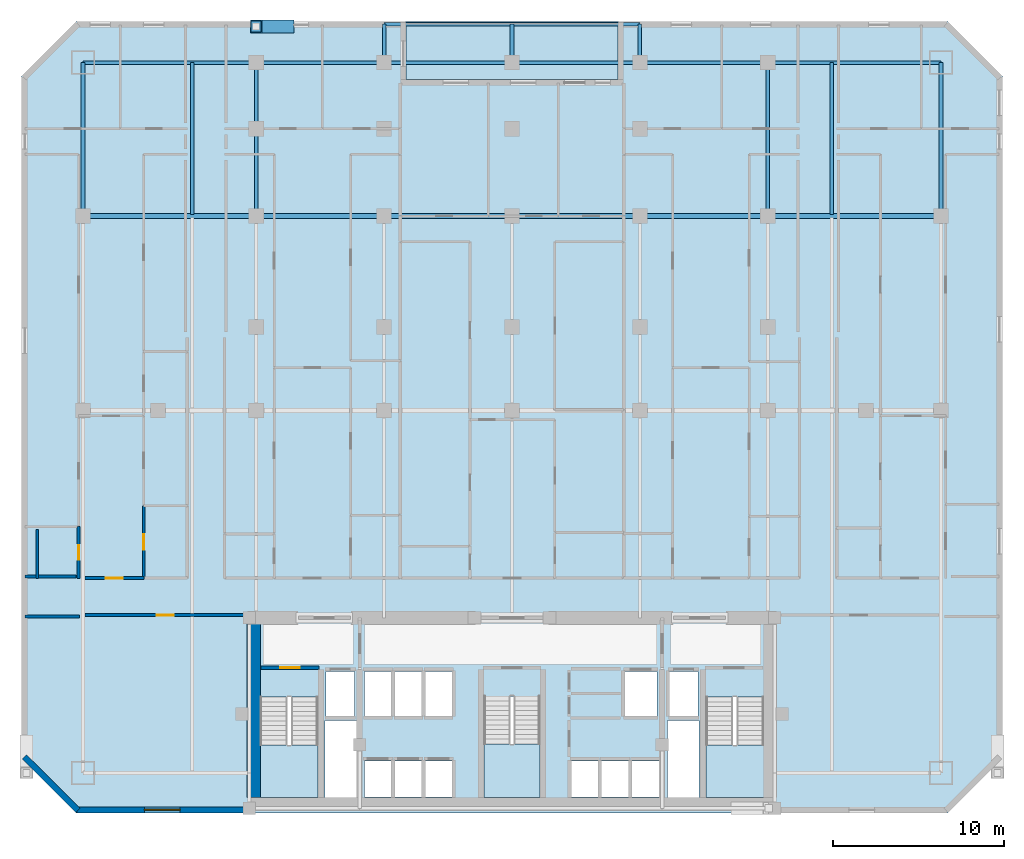
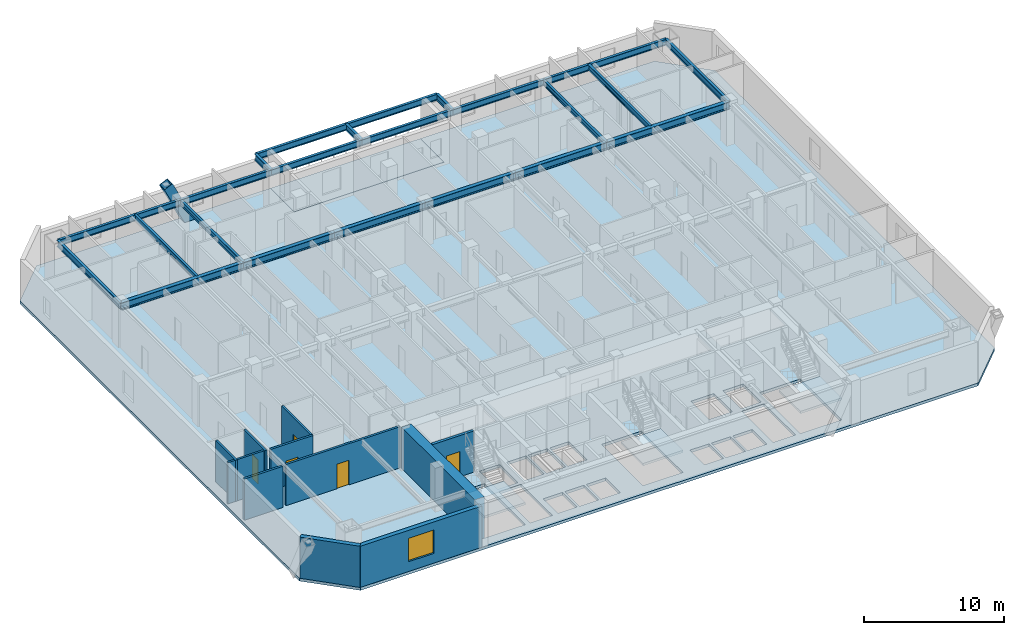
# One storey, part 2 of 10: 23 beams, 11 walls, 5 doors, 5 slabs, 1 member, 1 window, 6 openings, 3 elements without a shape of their own.
"""IFC4 building model written with IfcOpenShell, lengths in metres."""

from ifc_helpers import new_model, si_unit, direction, frame, frame_2d, origin, origin_2d, place, context, subcontext, project, spatial, polyline, rectangle, hollow_rectangle, i_section, outline, extrude, material, layer, layer_set, material_profile, profile_set, type_object, element, fill, aggregate, save


model = new_model("IFC4")

# Units and contexts
model_context = context("Model", 3, precision=1e-05, world=origin(), true_north=direction((0.0, 1.0)))
body_context = subcontext(model_context, "Body", "Model", "MODEL_VIEW")
ifc_project = project(units=[si_unit("LENGTHUNIT", "METRE"), si_unit("AREAUNIT", "SQUARE_METRE"), si_unit("VOLUMEUNIT", "CUBIC_METRE"), si_unit("PLANEANGLEUNIT", "RADIAN"), si_unit("MASSUNIT", "GRAM", prefix="KILO")], contexts=[model_context])

# Site, building, storey
site_placement = place(None, origin())
site = spatial("IfcSite", under=ifc_project, at=site_placement, CompositionType="ELEMENT")
building_placement = place(site_placement, origin())
building = spatial("IfcBuilding", under=site, at=building_placement, Name="Ventersveld Concourse Tower", CompositionType="ELEMENT")
storey_placement = place(building_placement, frame((0.0, 0.0, 56.75)))
storey = spatial("IfcBuildingStorey", under=building, at=storey_placement, Name="L13", CompositionType="ELEMENT", Elevation=56.75)

# Beams
ifc_material_1 = material(Name="Structural steel S355J2", Category="steel")
ifc_material_profile_1 = material_profile(ifc_material_1, i_section(OverallWidth=0.19140625, OverallDepth=0.4599609375, WebThickness=0.010009765625, FlangeThickness=0.01611328125, FilletRadius=0.01025390625, at=origin_2d()), Name="UB 457x191x82")
ifc_profile_set_1 = profile_set([ifc_material_profile_1], Name="Structural steel S355J2")
beam_type_1 = type_object("IfcBeamType", Name="BM-UB457H", PredefinedType="BEAM", material=ifc_profile_set_1)
beam_1_placement = place(storey_placement, frame((10.0, 35.094970703125, 3.3701171875), z_axis=(0.0, 1.0, 0.0), x_axis=(-1.0, 0.0, 0.0)))
element("IfcBeam", 1, at=beam_1_placement, inside=storey, type_object=beam_type_1, Name="L13 N-S Composite Floor Beam North X=10.00", PredefinedType="BEAM", context=body_context, shape_type="SweptSolid", body=[
    extrude(i_section(OverallWidth=0.19140625, OverallDepth=0.4599609375, WebThickness=0.010009765625, FlangeThickness=0.01611328125, FilletRadius=0.01025390625, at=origin_2d()), origin(), (0.0, 0.0, 1.0), 8.905029296875),
])
for number, where, z_axis, x_axis, name in (
    (2, (13.75, 35.0, 3.3701171875), (0.0, 1.0, 0.0), (-1.0, 0.0, 0.0), "L13 N-S Composite Floor Beam North X=13.75"),
    (3, (43.75, 35.0, 3.3701171875), (0.0, 1.0, 0.0), (-1.0, 0.0, 0.0), "L13 N-S Composite Floor Beam North X=43.75"),
):
    element("IfcBeam", number, at=place(storey_placement, frame(where, z_axis=z_axis, x_axis=x_axis)), inside=storey, type_object=beam_type_1, Name=name, PredefinedType="BEAM", context=body_context, shape_type="SweptSolid", body=[
        extrude(i_section(OverallWidth=0.19140625, OverallDepth=0.4599609375, WebThickness=0.010009765625, FlangeThickness=0.01611328125, FilletRadius=0.01025390625, at=origin_2d()), origin(), (0.0, 0.0, 1.0), 9.0),
    ])
beam_2_placement = place(storey_placement, frame((47.5, 35.094970703125, 3.3701171875), z_axis=(0.0, 1.0, 0.0), x_axis=(-1.0, 0.0, 0.0)))
element("IfcBeam", 4, at=beam_2_placement, inside=storey, type_object=beam_type_1, Name="L13 N-S Composite Floor Beam North X=47.50", PredefinedType="BEAM", context=body_context, shape_type="SweptSolid", body=[
    extrude(i_section(OverallWidth=0.19140625, OverallDepth=0.4599609375, WebThickness=0.010009765625, FlangeThickness=0.01611328125, FilletRadius=0.01025390625, at=origin_2d()), origin(), (0.0, 0.0, 1.0), 8.905029296875),
])
ifc_material_profile_2 = material_profile(ifc_material_1, i_section(OverallWidth=0.311279296875, OverallDepth=0.6357421875, WebThickness=0.018310546875, FlangeThickness=0.031494140625, FilletRadius=0.0166015625, at=origin_2d()), Name="UB 610x305x238")
ifc_profile_set_2 = profile_set([ifc_material_profile_2], Name="Structural steel S355J2")
beam_type_2 = type_object("IfcBeamType", Name="GRD-UB610H", PredefinedType="USERDEFINED", material=ifc_profile_set_2)
beam_3_placement = place(storey_placement, frame((3.60009765625, 35.0, 3.281982421875), z_axis=(1.0, 0.0, 0.0), x_axis=(0.0, 1.0, 0.0)))
element("IfcBeam", 5, at=beam_3_placement, inside=storey, type_object=beam_type_2, Name="L13 E-W Grid Girder Y=35.00 #1", ObjectType="GIRDER", PredefinedType="USERDEFINED", context=body_context, shape_type="SweptSolid", body=[
    extrude(i_section(OverallWidth=0.311279296875, OverallDepth=0.6357421875, WebThickness=0.018310546875, FlangeThickness=0.031494140625, FilletRadius=0.0166015625, at=origin_2d()), origin(), (0.0, 0.0, 1.0), 10.14990234375),
])
for number, where, z_axis, x_axis, name in (
    (6, (13.75, 35.0, 3.281982421875), (1.0, 0.0, 0.0), (0.0, 1.0, 0.0), "L13 E-W Grid Girder Y=35.00 #2"),
    (7, (21.25, 35.0, 3.281982421875), (1.0, 0.0, 0.0), (0.0, 1.0, 0.0), "L13 E-W Grid Girder Y=35.00 #3"),
    (8, (28.75, 35.0, 3.281982421875), (1.0, 0.0, 0.0), (0.0, 1.0, 0.0), "L13 E-W Grid Girder Y=35.00 #4"),
    (9, (36.25, 35.0, 3.281982421875), (1.0, 0.0, 0.0), (0.0, 1.0, 0.0), "L13 E-W Grid Girder Y=35.00 #5"),
):
    element("IfcBeam", number, at=place(storey_placement, frame(where, z_axis=z_axis, x_axis=x_axis)), inside=storey, type_object=beam_type_2, Name=name, ObjectType="GIRDER", PredefinedType="USERDEFINED", context=body_context, shape_type="SweptSolid", body=[
        extrude(i_section(OverallWidth=0.311279296875, OverallDepth=0.6357421875, WebThickness=0.018310546875, FlangeThickness=0.031494140625, FilletRadius=0.0166015625, at=origin_2d()), origin(), (0.0, 0.0, 1.0), 7.5),
    ])
beam_4_placement = place(storey_placement, frame((43.75, 35.0, 3.281982421875), z_axis=(1.0, 0.0, 0.0), x_axis=(0.0, 1.0, 0.0)))
element("IfcBeam", 10, at=beam_4_placement, inside=storey, type_object=beam_type_2, Name="L13 E-W Grid Girder Y=35.00 #6", ObjectType="GIRDER", PredefinedType="USERDEFINED", context=body_context, shape_type="SweptSolid", body=[
    extrude(i_section(OverallWidth=0.311279296875, OverallDepth=0.6357421875, WebThickness=0.018310546875, FlangeThickness=0.031494140625, FilletRadius=0.0166015625, at=origin_2d()), origin(), (0.0, 0.0, 1.0), 10.14990234375),
])

# Member
ifc_material_2 = material(Name="Structural steel S355ML", Category="steel")
ifc_material_profile_3 = material_profile(ifc_material_2, hollow_rectangle(XDim=0.75, YDim=0.75, WallThickness=0.044921875, at=origin_2d()), Name="BOX 750x750x45")
ifc_profile_set_3 = profile_set([ifc_material_profile_3], Name="Structural steel S355ML")
member_type = type_object("IfcMemberType", Name="MB-750x750", PredefinedType="BRACE", material=ifc_profile_set_3)
member_placement = place(storey_placement, frame((15.625, 46.1201171875, -0.25), z_axis=(-0.437839464193, 0.0, 0.899053170616), x_axis=(0.0, -1.0, 0.0)))
element("IfcMember", 11, at=member_placement, inside=storey, type_object=member_type, Name="L13 Exterior Mega-Brace N (Module M02)", PredefinedType="BRACE", context=body_context, shape_type="SweptSolid", body=[
    extrude(hollow_rectangle(XDim=0.75, YDim=0.75, WallThickness=0.044921875, at=origin_2d()), origin(), (0.0, 0.0, 1.0), 4.282470703125),
])

# Beams
ifc_material_profile_4 = material_profile(ifc_material_1, i_section(OverallWidth=0.2119140625, OverallDepth=0.54443359375, WebThickness=0.0126953125, FlangeThickness=0.021240234375, FilletRadius=0.0126953125, at=origin_2d()), Name="UB 533x210x122")
ifc_profile_set_4 = profile_set([ifc_material_profile_4], Name="Structural steel S355J2")
beam_type_3 = type_object("IfcBeamType", Name="SPD-UB533", PredefinedType="SPANDREL", material=ifc_profile_set_4)
for number, where, z_axis, x_axis, name in (
    (12, (3.60009765625, 35.0, 3.327880859375), (0.0, 1.0, 0.0), (-1.0, 0.0, 0.0), "L13 West Spandrel Beam N"),
    (13, (53.89990234375, 35.0, 3.327880859375), (0.0, 1.0, 0.0), (-1.0, 0.0, 0.0), "L13 East Spandrel Beam N"),
):
    element("IfcBeam", number, at=place(storey_placement, frame(where, z_axis=z_axis, x_axis=x_axis)), inside=storey, type_object=beam_type_3, Name=name, PredefinedType="SPANDREL", context=body_context, shape_type="SweptSolid", body=[
        extrude(i_section(OverallWidth=0.2119140625, OverallDepth=0.54443359375, WebThickness=0.0126953125, FlangeThickness=0.021240234375, FilletRadius=0.0126953125, at=origin_2d()), origin(), (0.0, 0.0, 1.0), 9.0),
    ])
for number, where, z_axis, x_axis, name in (
    (14, (21.25, 44.0, 3.327880859375), (0.0, 1.0, 0.0), (-1.0, 0.0, 0.0), "L13 Terrace Bracket W"),
    (15, (28.75, 44.0, 3.327880859375), (0.0, 1.0, 0.0), (-1.0, 0.0, 0.0), "L13 Terrace Bracket C"),
    (16, (36.25, 44.0, 3.327880859375), (0.0, 1.0, 0.0), (-1.0, 0.0, 0.0), "L13 Terrace Bracket E"),
):
    element("IfcBeam", number, at=place(storey_placement, frame(where, z_axis=z_axis, x_axis=x_axis)), inside=storey, type_object=beam_type_3, Name=name, PredefinedType="SPANDREL", context=body_context, shape_type="SweptSolid", body=[
        extrude(i_section(OverallWidth=0.2119140625, OverallDepth=0.54443359375, WebThickness=0.0126953125, FlangeThickness=0.021240234375, FilletRadius=0.0126953125, at=origin_2d()), origin(), (0.0, 0.0, 1.0), 2.25),
    ])
for number, where, z_axis, x_axis, name in (
    (17, (21.25, 46.25, 3.327880859375), (1.0, 0.0, 0.0), (0.0, 1.0, 0.0), "L13 Terrace Edge Spandrel W"),
    (18, (28.75, 46.25, 3.327880859375), (1.0, 0.0, 0.0), (0.0, 1.0, 0.0), "L13 Terrace Edge Spandrel E"),
):
    element("IfcBeam", number, at=place(storey_placement, frame(where, z_axis=z_axis, x_axis=x_axis)), inside=storey, type_object=beam_type_3, Name=name, PredefinedType="SPANDREL", context=body_context, shape_type="SweptSolid", body=[
        extrude(i_section(OverallWidth=0.2119140625, OverallDepth=0.54443359375, WebThickness=0.0126953125, FlangeThickness=0.021240234375, FilletRadius=0.0126953125, at=origin_2d()), origin(), (0.0, 0.0, 1.0), 7.5),
    ])
beam_5_placement = place(storey_placement, frame((3.60009765625, 44.0, 3.327880859375), z_axis=(1.0, 0.0, 0.0), x_axis=(0.0, 1.0, 0.0)))
element("IfcBeam", 19, at=beam_5_placement, inside=storey, type_object=beam_type_3, Name="L13 North Spandrel Girder Y=44.00 #1", PredefinedType="SPANDREL", context=body_context, shape_type="SweptSolid", body=[
    extrude(i_section(OverallWidth=0.2119140625, OverallDepth=0.54443359375, WebThickness=0.0126953125, FlangeThickness=0.021240234375, FilletRadius=0.0126953125, at=origin_2d()), origin(), (0.0, 0.0, 1.0), 10.14990234375),
])
for number, where, z_axis, x_axis, name in (
    (20, (13.75, 44.0, 3.327880859375), (1.0, 0.0, 0.0), (0.0, 1.0, 0.0), "L13 North Spandrel Girder Y=44.00 #2"),
    (21, (21.25, 44.0, 3.327880859375), (1.0, 0.0, 0.0), (0.0, 1.0, 0.0), "L13 North Spandrel Girder Y=44.00 #3"),
    (22, (28.75, 44.0, 3.327880859375), (1.0, 0.0, 0.0), (0.0, 1.0, 0.0), "L13 North Spandrel Girder Y=44.00 #4"),
    (23, (36.25, 44.0, 3.327880859375), (1.0, 0.0, 0.0), (0.0, 1.0, 0.0), "L13 North Spandrel Girder Y=44.00 #5"),
):
    element("IfcBeam", number, at=place(storey_placement, frame(where, z_axis=z_axis, x_axis=x_axis)), inside=storey, type_object=beam_type_3, Name=name, PredefinedType="SPANDREL", context=body_context, shape_type="SweptSolid", body=[
        extrude(i_section(OverallWidth=0.2119140625, OverallDepth=0.54443359375, WebThickness=0.0126953125, FlangeThickness=0.021240234375, FilletRadius=0.0126953125, at=origin_2d()), origin(), (0.0, 0.0, 1.0), 7.5),
    ])
beam_6_placement = place(storey_placement, frame((43.75, 44.0, 3.327880859375), z_axis=(1.0, 0.0, 0.0), x_axis=(0.0, 1.0, 0.0)))
element("IfcBeam", 24, at=beam_6_placement, inside=storey, type_object=beam_type_3, Name="L13 North Spandrel Girder Y=44.00 #6", PredefinedType="SPANDREL", context=body_context, shape_type="SweptSolid", body=[
    extrude(i_section(OverallWidth=0.2119140625, OverallDepth=0.54443359375, WebThickness=0.0126953125, FlangeThickness=0.021240234375, FilletRadius=0.0126953125, at=origin_2d()), origin(), (0.0, 0.0, 1.0), 10.14990234375),
])

# Slabs
ifc_material_3 = material(Name="Concrete C50/60", Category="concrete")
ifc_layer_1 = layer(ifc_material_3, 0.25)
ifc_layer_set_1 = layer_set([ifc_layer_1], Name="Concrete C50/60")
slab_type_1 = type_object("IfcSlabType", Name="SL-FLR-250", PredefinedType="FLOOR", material=ifc_layer_set_1)
slab_1_placement = place(storey_placement, frame((0.0, 0.0, -0.25)))
element("IfcSlab", 25, at=slab_1_placement, inside=storey, type_object=slab_type_1, Name="L13 Composite Floor Slab", PredefinedType="FLOOR", context=body_context, shape_type="SweptSolid", body=[
    extrude(outline(polyline([(3.199951171875, 0.0), (54.300048828125, 0.0), (57.5, 3.199951171875), (57.5, 43.199951171875), (54.300048828125, 46.39990234375), (34.949951171875, 46.39990234375), (34.949951171875, 43.0), (22.550048828125, 43.0), (22.550048828125, 46.39990234375), (3.199951171875, 46.39990234375), (0.0, 43.199951171875), (0.0, 3.199951171875), (3.199951171875, 0.0)]), holes=[polyline([(13.97998046875, 6.794921875), (13.97998046875, 0.89990234375), (17.3798828125, 0.89990234375), (17.3798828125, 6.794921875), (13.97998046875, 6.794921875)]), polyline([(40.1201171875, 6.794921875), (40.1201171875, 0.89990234375), (43.52001953125, 0.89990234375), (43.52001953125, 6.794921875), (40.1201171875, 6.794921875)]), polyline([(27.10009765625, 6.844970703125), (27.10009765625, 0.89990234375), (30.39990234375, 0.89990234375), (30.39990234375, 6.844970703125), (27.10009765625, 6.844970703125)]), polyline([(17.85009765625, 5.699951171875), (19.530029296875, 5.699951171875), (19.530029296875, 8.300048828125), (17.85009765625, 8.300048828125), (17.85009765625, 5.699951171875)]), polyline([(37.969970703125, 5.699951171875), (39.64990234375, 5.699951171875), (39.64990234375, 8.300048828125), (37.969970703125, 8.300048828125), (37.969970703125, 5.699951171875)]), polyline([(35.35009765625, 5.699951171875), (37.25, 5.699951171875), (37.25, 8.300048828125), (35.35009765625, 8.300048828125), (35.35009765625, 5.699951171875)]), polyline([(20.090087890625, 0.949951171875), (21.68994140625, 0.949951171875), (21.68994140625, 3.050048828125), (20.090087890625, 3.050048828125), (20.090087890625, 0.949951171875)]), polyline([(21.8701171875, 0.949951171875), (23.469970703125, 0.949951171875), (23.469970703125, 3.050048828125), (21.8701171875, 3.050048828125), (21.8701171875, 0.949951171875)]), polyline([(23.64990234375, 0.949951171875), (25.25, 0.949951171875), (25.25, 3.050048828125), (23.64990234375, 3.050048828125), (23.64990234375, 0.949951171875)]), polyline([(32.2099609375, 0.949951171875), (33.81005859375, 0.949951171875), (33.81005859375, 3.050048828125), (32.2099609375, 3.050048828125), (32.2099609375, 0.949951171875)]), polyline([(33.989990234375, 0.949951171875), (35.590087890625, 0.949951171875), (35.590087890625, 3.050048828125), (33.989990234375, 3.050048828125), (33.989990234375, 0.949951171875)]), polyline([(35.77001953125, 0.949951171875), (37.3701171875, 0.949951171875), (37.3701171875, 3.050048828125), (35.77001953125, 3.050048828125), (35.77001953125, 0.949951171875)]), polyline([(20.090087890625, 5.699951171875), (21.68994140625, 5.699951171875), (21.68994140625, 8.300048828125), (20.090087890625, 8.300048828125), (20.090087890625, 5.699951171875)]), polyline([(21.8701171875, 5.699951171875), (23.469970703125, 5.699951171875), (23.469970703125, 8.300048828125), (21.8701171875, 8.300048828125), (21.8701171875, 5.699951171875)]), polyline([(23.64990234375, 5.699951171875), (25.25, 5.699951171875), (25.25, 8.300048828125), (23.64990234375, 8.300048828125), (23.64990234375, 5.699951171875)]), polyline([(17.780029296875, 0.919921875), (19.6201171875, 0.919921875), (19.6201171875, 5.419921875), (17.780029296875, 5.419921875), (17.780029296875, 0.919921875)]), polyline([(37.8798828125, 0.919921875), (39.719970703125, 0.919921875), (39.719970703125, 5.419921875), (37.8798828125, 5.419921875), (37.8798828125, 0.919921875)])]), origin(), (0.0, 0.0, 1.0), 0.25),
])
slab_2_placement = place(storey_placement, frame((0.0, 0.0, -0.25)))
element("IfcSlab", 26, at=slab_2_placement, inside=storey, type_object=slab_type_1, Name="L13 Outdoor Terrace Slab NOTCH-N", PredefinedType="FLOOR", context=body_context, shape_type="SweptSolid", body=[
    extrude(outline(polyline([(22.550048828125, 43.0), (34.949951171875, 43.0), (34.949951171875, 46.39990234375), (22.550048828125, 46.39990234375), (22.550048828125, 43.0)])), origin(), (0.0, 0.0, 1.0), 0.25),
])

# Stair, slab
stair_type_1 = type_object("IfcStairType", Name="ST-DOG-160", PredefinedType="HALF_TURN_STAIR", material=ifc_material_3)
stair_1_placement = place(storey_placement, origin())
stair_1 = element("IfcStair", 27, at=stair_1_placement, inside=storey, type_object=stair_type_1, Name="L13 Protected Tower Escape Stair ST-01", PredefinedType="HALF_TURN_STAIR")
ifc_layer_2 = layer(ifc_material_3, 0.199951171875)
ifc_layer_set_2 = layer_set([ifc_layer_2], Name="Concrete C50/60")
slab_type_2 = type_object("IfcSlabType", Name="SL-LND-200", PredefinedType="LANDING", material=ifc_layer_set_2)
slab_3_placement = place(storey_placement, frame((0.0, 0.0, 1.72509765625)))
slab_3 = element("IfcSlab", 28, at=slab_3_placement, type_object=slab_type_2, Name="ST-01 landing 1", PredefinedType="LANDING", context=body_context, shape_type="SweptSolid", body=[
    extrude(outline(polyline([(13.97998046875, 4.0), (13.97998046875, 0.89990234375), (17.3798828125, 0.89990234375), (17.3798828125, 4.0), (13.97998046875, 4.0)])), origin(), (0.0, 0.0, 1.0), 0.199951171875),
])
aggregate(stair_1, [slab_3])

stair_2_placement = place(storey_placement, origin())
stair_2 = element("IfcStair", 29, at=stair_2_placement, inside=storey, type_object=stair_type_1, Name="L13 Protected Tower Escape Stair ST-02", PredefinedType="HALF_TURN_STAIR")
slab_4_placement = place(storey_placement, frame((0.0, 0.0, 1.72509765625)))
slab_4 = element("IfcSlab", 30, at=slab_4_placement, type_object=slab_type_2, Name="ST-02 landing 1", PredefinedType="LANDING", context=body_context, shape_type="SweptSolid", body=[
    extrude(outline(polyline([(40.1201171875, 4.0), (40.1201171875, 0.89990234375), (43.52001953125, 0.89990234375), (43.52001953125, 4.0), (40.1201171875, 4.0)])), origin(), (0.0, 0.0, 1.0), 0.199951171875),
])
aggregate(stair_2, [slab_4])

stair_type_2 = type_object("IfcStairType", Name="ST-DOG-155", PredefinedType="HALF_TURN_STAIR", material=ifc_material_3)
stair_3_placement = place(storey_placement, origin())
stair_3 = element("IfcStair", 31, at=stair_3_placement, inside=storey, type_object=stair_type_2, Name="L13 Protected Central Core Escape Stair ST-03", PredefinedType="HALF_TURN_STAIR")
slab_5_placement = place(storey_placement, frame((0.0, 0.0, 1.72509765625)))
slab_5 = element("IfcSlab", 32, at=slab_5_placement, type_object=slab_type_2, Name="ST-03 landing 1", PredefinedType="LANDING", context=body_context, shape_type="SweptSolid", body=[
    extrude(outline(polyline([(27.10009765625, 4.050048828125), (27.10009765625, 0.89990234375), (30.39990234375, 0.89990234375), (30.39990234375, 4.050048828125), (27.10009765625, 4.050048828125)])), origin(), (0.0, 0.0, 1.0), 0.199951171875),
])
aggregate(stair_3, [slab_5])

# Wall
ifc_material_4 = material(Name="Concrete C60/75", Category="concrete")
ifc_layer_3 = layer(ifc_material_4, 0.800048828125)
ifc_layer_set_3 = layer_set([ifc_layer_3], Name="Concrete C60/75")
wall_type_1 = type_object("IfcWallType", Name="WL-CORE-800", PredefinedType="SHEAR", material=ifc_layer_set_3)
wall_1_placement = place(storey_placement, frame((13.60009765625, 0.919921875, 0.0), z_axis=(0.0, 0.0, 1.0), x_axis=(0.0, 1.0, 0.0)))
element("IfcWall", 33, at=wall_1_placement, inside=storey, type_object=wall_type_1, Name="L13 Rear Core West Shear Wall", PredefinedType="SHEAR", context=body_context, shape_type="SweptSolid", body=[
    extrude(rectangle(XDim=10.530029296875, YDim=0.800048828125, at=frame_2d((5.26513671875, 0.0))), origin(), (0.0, 0.0, 1.0), 3.60009765625),
])

# Wall, opening, door
ifc_material_5 = material(Name="Fire-rated autoclaved aerated masonry blockwork", Category="masonry")
ifc_layer_4 = layer(ifc_material_5, 0.179931640625)
ifc_layer_set_4 = layer_set([ifc_layer_4], Name="Fire-rated autoclaved aerated masonry blockwork")
wall_type_2 = type_object("IfcWallType", Name="WL-CORR-180", PredefinedType="PARTITIONING", material=ifc_layer_set_4)
wall_2_placement = place(storey_placement, frame((3.705078125, 11.60009765625, 0.0), z_axis=(0.0, 0.0, 1.0), x_axis=(1.0, 0.0, 0.0)))
wall_2 = element("IfcWall", 34, at=wall_2_placement, inside=storey, type_object=wall_type_2, Name="L13 Interior Partition SP-L13-SW-GAL-SP-L13-COR", PredefinedType="PARTITIONING", context=body_context, shape_type="SweptSolid", body=[
    extrude(rectangle(XDim=9.43994140625, YDim=0.179931640625, at=frame_2d((4.719970703125, 0.0))), origin(), (0.0, 0.0, 1.0), 3.60009765625),
])
opening_1_placement = place(wall_2_placement, frame((4.219970703125, 0.0, 0.0)))
opening_1 = element("IfcOpeningElement", 35, at=opening_1_placement, cuts=wall_2, Name="Opening FD3", PredefinedType="OPENING", context=body_context, shape_type="SweptSolid", body=[
    extrude(rectangle(XDim=1.0, YDim=2.14990234375, at=frame_2d((0.5, 1.074951171875))), frame((0.0, 0.10009765625, 0.0), z_axis=(0.0, -1.0, 0.0), x_axis=(1.0, 0.0, 0.0)), (0.0, 0.0, 1.0), 0.199951171875),
])
ifc_material_6 = material(Name="Solid-core hardwood veneer timber", Category="wood")
door_type_1 = type_object("IfcDoorType", Name="DR-FLAT-100", OperationType="NOTDEFINED", PredefinedType="DOOR", material=ifc_material_6)
door_1_placement = place(opening_1_placement, origin())
door_1 = element("IfcDoor", 36, at=door_1_placement, inside=storey, type_object=door_type_1, Name="L13 Interior Door SP-L13-SW-GAL to SP-L13-COR (D-L13-0542)", OperationType="SINGLE_SWING_RIGHT", OverallHeight=2.14990234375, OverallWidth=1.0, PredefinedType="DOOR", context=body_context, shape_type="SweptSolid", body=[
    extrude(rectangle(XDim=1.0, YDim=2.14990234375, at=frame_2d((0.5, 1.074951171875))), frame((0.0, 0.02490234375, 0.0), z_axis=(0.0, -1.0, 0.0), x_axis=(1.0, 0.0, 0.0)), (0.0, 0.0, 1.0), 0.050048828125),
])
fill(opening_1, door_1)

wall_3_placement = place(storey_placement, frame((3.705078125, 13.77001953125, 0.0), z_axis=(0.0, 0.0, 1.0), x_axis=(1.0, 0.0, 0.0)))
wall_3 = element("IfcWall", 37, at=wall_3_placement, inside=storey, type_object=wall_type_2, Name="L13 Interior Partition SP-L13-COR-SP-L13-13NW-FOY", PredefinedType="PARTITIONING", context=body_context, shape_type="SweptSolid", body=[
    extrude(rectangle(XDim=3.462890625, YDim=0.179931640625, at=frame_2d((1.7314453125, 0.0))), origin(), (0.0, 0.0, 1.0), 3.60009765625),
])
opening_2_placement = place(wall_3_placement, frame((1.2314453125, 0.0, 0.0)))
opening_2 = element("IfcOpeningElement", 38, at=opening_2_placement, cuts=wall_3, Name="Opening FD3", PredefinedType="OPENING", context=body_context, shape_type="SweptSolid", body=[
    extrude(rectangle(XDim=1.0, YDim=2.14990234375, at=frame_2d((0.5, 1.074951171875))), frame((0.0, 0.10009765625, 0.0), z_axis=(0.0, -1.0, 0.0), x_axis=(1.0, 0.0, 0.0)), (0.0, 0.0, 1.0), 0.199951171875),
])
door_2_placement = place(opening_2_placement, origin())
door_2 = element("IfcDoor", 39, at=door_2_placement, inside=storey, type_object=door_type_1, Name="L13 Interior Door SP-L13-COR to SP-L13-13NW-FOY (FD-L13-0544)", OperationType="SINGLE_SWING_RIGHT", OverallHeight=2.14990234375, OverallWidth=1.0, PredefinedType="DOOR", context=body_context, shape_type="SweptSolid", body=[
    extrude(rectangle(XDim=1.0, YDim=2.14990234375, at=frame_2d((0.5, 1.074951171875))), frame((0.0, 0.02490234375, 0.0), z_axis=(0.0, -1.0, 0.0), x_axis=(1.0, 0.0, 0.0)), (0.0, 0.0, 1.0), 0.050048828125),
])
fill(opening_2, door_2)

# Wall
wall_4_placement = place(storey_placement, frame((0.2099609375, 11.52001953125, 0.0), z_axis=(0.0, 0.0, 1.0), x_axis=(1.0, 0.0, 0.0)))
element("IfcWall", 40, at=wall_4_placement, inside=storey, type_object=wall_type_2, Name="L13 Room Enclosure Wall SP-L13-SW-GAL", PredefinedType="PARTITIONING", context=body_context, shape_type="SweptSolid", body=[
    extrude(rectangle(XDim=3.177734375, YDim=0.179931640625, at=frame_2d((1.5888671875, 0.0))), origin(), (0.0, 0.0, 1.0), 3.60009765625),
])

# Wall, opening, door
ifc_layer_5 = layer(ifc_material_5, 0.219970703125)
ifc_layer_set_5 = layer_set([ifc_layer_5], Name="Fire-rated autoclaved aerated masonry blockwork")
wall_type_3 = type_object("IfcWallType", Name="WL-HOIST-220", PredefinedType="SOLIDWALL", material=ifc_layer_set_5)
wall_5_placement = place(storey_placement, frame((14.0400390625, 8.52001953125, 0.0), z_axis=(0.0, 0.0, 1.0), x_axis=(1.0, 0.0, 0.0)))
wall_5 = element("IfcWall", 41, at=wall_5_placement, inside=storey, type_object=wall_type_3, Name="L13 Escape Stair ST01 Fire Wall", PredefinedType="SOLIDWALL", context=body_context, shape_type="SweptSolid", body=[
    extrude(rectangle(XDim=3.39990234375, YDim=0.219970703125, at=frame_2d((1.699951171875, 0.0))), origin(), (0.0, 0.0, 1.0), 3.60009765625),
])
opening_3_placement = place(wall_5_placement, frame((1.125, 0.0, 0.0)))
opening_3 = element("IfcOpeningElement", 42, at=opening_3_placement, cuts=wall_5, Name="Opening FD1", PredefinedType="OPENING", context=body_context, shape_type="SweptSolid", body=[
    extrude(rectangle(XDim=1.14990234375, YDim=2.199951171875, at=frame_2d((0.574951171875, 1.10009765625))), frame((0.0, 0.1201171875, 0.0), z_axis=(0.0, -1.0, 0.0), x_axis=(1.0, 0.0, 0.0)), (0.0, 0.0, 1.0), 0.239990234375),
])
ifc_material_7 = material(Name="Galvanised painted steel", Category="steel")
door_type_2 = type_object("IfcDoorType", Name="DR-STAIR-115", OperationType="NOTDEFINED", PredefinedType="DOOR", material=ifc_material_7)
door_3_placement = place(opening_3_placement, origin())
door_3 = element("IfcDoor", 43, at=door_3_placement, inside=storey, type_object=door_type_2, Name="L13 Escape Stair Door ST01 (SD-L13-0531)", OperationType="SINGLE_SWING_LEFT", OverallHeight=2.199951171875, OverallWidth=1.14990234375, PredefinedType="DOOR", context=body_context, shape_type="SweptSolid", body=[
    extrude(rectangle(XDim=1.14990234375, YDim=2.199951171875, at=frame_2d((0.574951171875, 1.10009765625))), frame((0.0, 0.02490234375, 0.0), z_axis=(0.0, -1.0, 0.0), x_axis=(1.0, 0.0, 0.0)), (0.0, 0.0, 1.0), 0.050048828125),
])
fill(opening_3, door_3)

ifc_material_8 = material(Name="Autoclaved aerated masonry blockwork", Category="masonry")
ifc_layer_6 = layer(ifc_material_8, 0.14990234375)
ifc_layer_set_6 = layer_set([ifc_layer_6], Name="Autoclaved aerated masonry blockwork")
wall_type_4 = type_object("IfcWallType", Name="WL-INT-150", PredefinedType="PARTITIONING", material=ifc_layer_set_6)
wall_6_placement = place(storey_placement, frame((7.162841796875, 13.764892578125, 0.0), z_axis=(0.0, 0.0, 1.0), x_axis=(0.0, 1.0, 0.0)))
wall_6 = element("IfcWall", 44, at=wall_6_placement, inside=storey, type_object=wall_type_4, Name="L13 Interior Partition SP-L13-13NW-FOY-SP-L13-13NW-KIT", PredefinedType="PARTITIONING", context=body_context, shape_type="SweptSolid", body=[
    extrude(rectangle(XDim=4.24560546875, YDim=0.14990234375, at=frame_2d((2.122802734375, 0.0))), origin(), (0.0, 0.0, 1.0), 3.60009765625),
])
opening_4_placement = place(wall_6_placement, frame((1.662841796875, 0.0, 0.0)))
opening_4 = element("IfcOpeningElement", 45, at=opening_4_placement, cuts=wall_6, Name="Opening ID1", PredefinedType="OPENING", context=body_context, shape_type="SweptSolid", body=[
    extrude(rectangle(XDim=0.919921875, YDim=2.10009765625, at=frame_2d((0.4599609375, 1.050048828125))), frame((0.0, 0.0849609375, 0.0), z_axis=(0.0, -1.0, 0.0), x_axis=(1.0, 0.0, 0.0)), (0.0, 0.0, 1.0), 0.169921875),
])
door_type_3 = type_object("IfcDoorType", Name="DR-ROOM-092", OperationType="NOTDEFINED", PredefinedType="DOOR", material=ifc_material_6)
door_4_placement = place(opening_4_placement, origin())
door_4 = element("IfcDoor", 46, at=door_4_placement, inside=storey, type_object=door_type_3, Name="L13 Interior Door SP-L13-13NW-FOY to SP-L13-13NW-KIT (D-L13-0552)", OperationType="SINGLE_SWING_RIGHT", OverallHeight=2.10009765625, OverallWidth=0.919921875, PredefinedType="DOOR", context=body_context, shape_type="SweptSolid", body=[
    extrude(rectangle(XDim=0.919921875, YDim=2.10009765625, at=frame_2d((0.4599609375, 1.050048828125))), frame((0.0, 0.02490234375, 0.0), z_axis=(0.0, -1.0, 0.0), x_axis=(1.0, 0.0, 0.0)), (0.0, 0.0, 1.0), 0.050048828125),
])
fill(opening_4, door_4)

# Wall, opening, window
ifc_material_9 = material(Name="Precast concrete C45/55", Category="concrete")
ifc_layer_7 = layer(ifc_material_9, 0.35009765625)
ifc_layer_set_7 = layer_set([ifc_layer_7], Name="Precast concrete C45/55")
wall_type_5 = type_object("IfcWallType", Name="WL-PREC-350", PredefinedType="SOLIDWALL", material=ifc_layer_set_7)
wall_7_placement = place(storey_placement, frame((3.239990234375, 0.179931640625, 0.0), z_axis=(0.0, 0.0, 1.0), x_axis=(1.0, 0.0, 0.0)))
wall_7 = element("IfcWall", 47, at=wall_7_placement, inside=storey, type_object=wall_type_5, Name="L13 South-West Flank Precast Wall", PredefinedType="SOLIDWALL", context=body_context, shape_type="SweptSolid", body=[
    extrude(rectangle(XDim=10.010009765625, YDim=0.35009765625, at=frame_2d((5.0048828125, 0.0))), origin(), (0.0, 0.0, 1.0), 3.60009765625),
])
opening_5_placement = place(wall_7_placement, frame((3.955078125, 0.0, 0.85009765625)))
opening_5 = element("IfcOpeningElement", 48, at=opening_5_placement, cuts=wall_7, Name="Opening W7", PredefinedType="OPENING", context=body_context, shape_type="SweptSolid", body=[
    extrude(rectangle(XDim=2.10009765625, YDim=2.050048828125, at=frame_2d((1.050048828125, 1.02490234375))), frame((0.0, 0.18505859375, 0.0), z_axis=(0.0, -1.0, 0.0), x_axis=(1.0, 0.0, 0.0)), (0.0, 0.0, 1.0), 0.3701171875),
])
ifc_material_10 = material(Name="Tempered acoustic Low-E IGU", Category="glass")
window_type = type_object("IfcWindowType", Name="WIN-210x205", PartitioningType="SINGLE_PANEL", PredefinedType="WINDOW", material=ifc_material_10)
window_placement = place(opening_5_placement, origin())
window = element("IfcWindow", 49, at=window_placement, inside=storey, type_object=window_type, Name="L13 Punched Low-E Window W-0091", OverallHeight=2.050048828125, OverallWidth=2.10009765625, PartitioningType="SINGLE_PANEL", PredefinedType="WINDOW", context=body_context, shape_type="SweptSolid", body=[
    extrude(rectangle(XDim=2.10009765625, YDim=2.050048828125, at=frame_2d((1.050048828125, 1.02490234375))), frame((0.0, 0.030029296875, 0.0), z_axis=(0.0, -1.0, 0.0), x_axis=(1.0, 0.0, 0.0)), (0.0, 0.0, 1.0), 0.06005859375),
])
fill(opening_5, window)

# Wall
wall_8_placement = place(storey_placement, frame((0.152099609375, 3.29541015625, 0.0), z_axis=(0.0, 0.0, 1.0), x_axis=(0.707106781187, -0.707106781187, 0.0)))
element("IfcWall", 50, at=wall_8_placement, inside=storey, type_object=wall_type_5, Name="L13 Highveld Precast Facade Wall E12", PredefinedType="SOLIDWALL", context=body_context, shape_type="SweptSolid", body=[
    extrude(rectangle(XDim=4.4453125, YDim=0.35009765625, at=frame_2d((2.22265625, 0.0))), origin(), (0.0, 0.0, 1.0), 3.60009765625),
])

# Wall, opening, door
ifc_layer_8 = layer(ifc_material_8, 0.1650390625)
ifc_layer_set_8 = layer_set([ifc_layer_8], Name="Autoclaved aerated masonry blockwork")
wall_type_6 = type_object("IfcWallType", Name="WL-WET-165", PredefinedType="PLUMBINGWALL", material=ifc_layer_set_8)
wall_9_placement = place(storey_placement, frame((3.3408203125, 13.764892578125, 0.0), z_axis=(0.0, 0.0, 1.0), x_axis=(0.0, 1.0, 0.0)))
wall_9 = element("IfcWall", 51, at=wall_9_placement, inside=storey, type_object=wall_type_6, Name="L13 Interior Partition SP-L13-13NW-FOY-SP-L13-13NW-BATH", PredefinedType="PLUMBINGWALL", context=body_context, shape_type="SweptSolid", body=[
    extrude(rectangle(XDim=3.021728515625, YDim=0.1650390625, at=frame_2d((1.5107421875, 0.0))), origin(), (0.0, 0.0, 1.0), 3.60009765625),
])
opening_6_placement = place(wall_9_placement, frame((1.085693359375, 0.0, 0.0)))
opening_6 = element("IfcOpeningElement", 52, at=opening_6_placement, cuts=wall_9, Name="Opening ID2", PredefinedType="OPENING", context=body_context, shape_type="SweptSolid", body=[
    extrude(rectangle(XDim=0.85009765625, YDim=2.10009765625, at=frame_2d((0.425048828125, 1.050048828125))), frame((0.0, 0.092529296875, 0.0), z_axis=(0.0, -1.0, 0.0), x_axis=(1.0, 0.0, 0.0)), (0.0, 0.0, 1.0), 0.18505859375),
])
door_type_4 = type_object("IfcDoorType", Name="DR-BATH-085", OperationType="NOTDEFINED", PredefinedType="DOOR", material=ifc_material_6)
door_5_placement = place(opening_6_placement, origin())
door_5 = element("IfcDoor", 53, at=door_5_placement, inside=storey, type_object=door_type_4, Name="L13 Interior Door SP-L13-13NW-FOY to SP-L13-13NW-BATH (D-L13-0550)", OperationType="SINGLE_SWING_RIGHT", OverallHeight=2.10009765625, OverallWidth=0.85009765625, PredefinedType="DOOR", context=body_context, shape_type="SweptSolid", body=[
    extrude(rectangle(XDim=0.85009765625, YDim=2.10009765625, at=frame_2d((0.425048828125, 1.050048828125))), frame((0.0, 0.02490234375, 0.0), z_axis=(0.0, -1.0, 0.0), x_axis=(1.0, 0.0, 0.0)), (0.0, 0.0, 1.0), 0.050048828125),
])
fill(opening_6, door_5)

# Walls
wall_10_placement = place(storey_placement, frame((3.17578125, 13.860107421875, 0.0), z_axis=(0.0, 0.0, 1.0), x_axis=(-1.0, 0.0, 0.0)))
element("IfcWall", 54, at=wall_10_placement, inside=storey, type_object=wall_type_6, Name="L13 Room Enclosure Wall SP-L13-13NW-BATH", PredefinedType="PLUMBINGWALL", context=body_context, shape_type="SweptSolid", body=[
    extrude(rectangle(XDim=2.9658203125, YDim=0.1650390625, at=frame_2d((1.48291015625, 0.0))), origin(), (0.0, 0.0, 1.0), 3.60009765625),
])
wall_11_placement = place(storey_placement, frame((0.919921875, 13.764892578125, 0.0), z_axis=(0.0, 0.0, 1.0), x_axis=(0.0, 1.0, 0.0)))
element("IfcWall", 55, at=wall_11_placement, inside=storey, type_object=wall_type_6, Name="L13 Room Enclosure Wall SP-L13-13NW-BATH", PredefinedType="PLUMBINGWALL", context=body_context, shape_type="SweptSolid", body=[
    extrude(rectangle(XDim=2.8515625, YDim=0.1650390625, at=frame_2d((1.42578125, 0.0))), origin(), (0.0, 0.0, 1.0), 3.60009765625),
])

save(model, "model.ifc")
